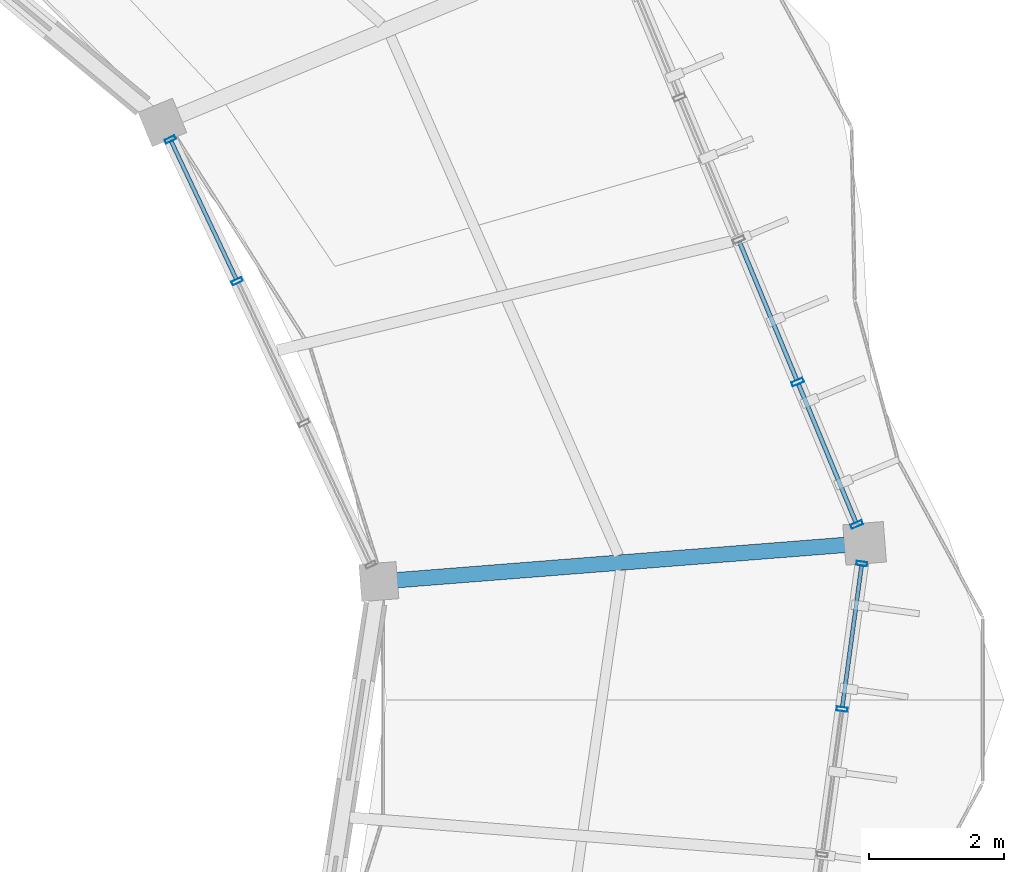
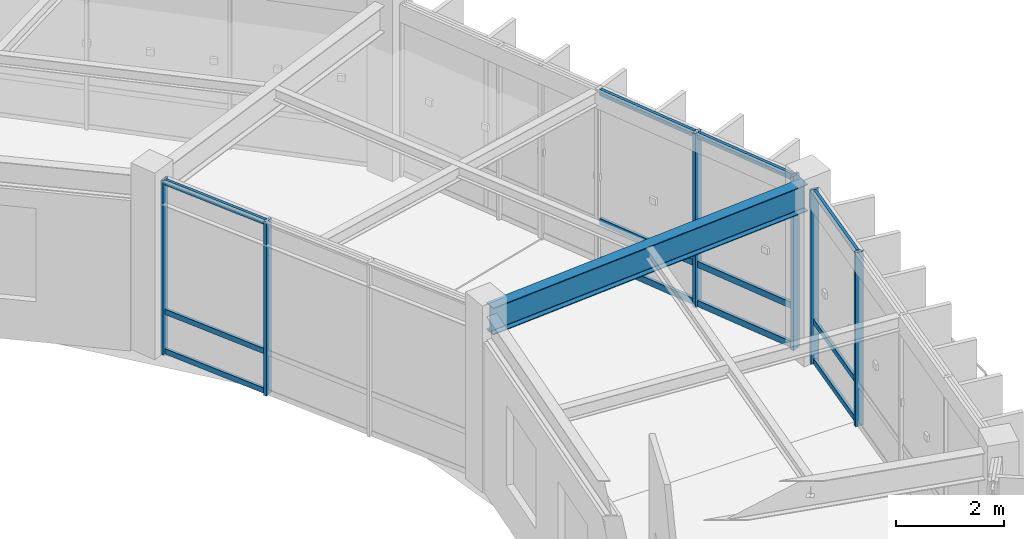
# One storey, part 58 of 83: 18 members, 1 beam, 3 elements without a shape of their own.
"""IFC4 building model written with IfcOpenShell, lengths in metres."""

import ifcopenshell
import ifcopenshell.guid

model = None  # the IFC model being written
_history = None  # IfcOwnerHistory: only IFC2X3 demands one
_inside = {}  # id of a spatial element -> (the spatial element, [elements in it])
_under = {}  # id of a project, library or spatial element -> (it, [spatial elements below it])
_declared = {}  # id of a project -> (the project, [libraries it declares])
_typed = {}  # id of a type object -> (the type object, [elements of that type])
_made_of = {}  # id of a material, layer set ... -> (it, [elements and type objects made of it])


def new_model(schema):
    """Start an empty IFC model of exactly this schema.

    Asked for "IFC4X3", IfcOpenShell would pick the latest addendum, in which some entities
    have other attributes; the version numbers below select the first issue.
    IFC2X3 requires an IfcOwnerHistory on every rooted entity: one is made here for all.
    """
    global model, _history
    if schema == "IFC4X3":
        model = ifcopenshell.file(schema_version=(4, 3, 0, 0))
    else:
        model = ifcopenshell.file(schema=schema)
    _inside.clear()
    _under.clear()
    _declared.clear()
    _typed.clear()
    _made_of.clear()
    _history = None
    if model.schema == "IFC2X3":
        org = make("IfcOrganization", Name="unknown")
        user = make(
            "IfcPersonAndOrganization",
            ThePerson=make("IfcPerson", FamilyName="unknown"),
            TheOrganization=org,
        )
        app = make(
            "IfcApplication",
            ApplicationDeveloper=org,
            Version="unknown",
            ApplicationFullName="unknown",
            ApplicationIdentifier="unknown",
        )
        _history = make(
            "IfcOwnerHistory",
            OwningUser=user,
            OwningApplication=app,
            ChangeAction="ADDED",
            CreationDate=0,
        )
    return model


def make(cls, **values):
    """One entity of the class cls with the attributes given. An attribute that is None is left unset."""
    return model.create_entity(
        cls, **{name: value for name, value in values.items() if value is not None}
    )


def rooted(cls, **values):
    """An entity with a GlobalId (a new one), such as an element, a storey or a relation."""
    return make(cls, GlobalId=ifcopenshell.guid.new(), OwnerHistory=_history, **values)


def si_unit(unit_type, name, prefix=None):
    """IfcSIUnit, for example si_unit("LENGTHUNIT", "METRE", prefix="MILLI")."""
    return make("IfcSIUnit", UnitType=unit_type, Prefix=prefix, Name=name)


def assignment(units):
    """IfcUnitAssignment: the units of a project."""
    return None if units is None else make("IfcUnitAssignment", Units=units)


def point(xyz):
    """IfcCartesianPoint."""
    return None if xyz is None else make("IfcCartesianPoint", Coordinates=xyz)


def direction(xyz):
    """IfcDirection."""
    return None if xyz is None else make("IfcDirection", DirectionRatios=xyz)


def frame(location, z_axis=None, x_axis=None):
    """IfcAxis2Placement3D, a coordinate frame: its origin and axes. An axis left out is left unset."""
    return make(
        "IfcAxis2Placement3D",
        Location=point(location),
        Axis=direction(z_axis),
        RefDirection=direction(x_axis),
    )


def frame_2d(location, x_axis=None):
    """IfcAxis2Placement2D, a coordinate frame in the plane: its origin and x axis."""
    return make(
        "IfcAxis2Placement2D", Location=point(location), RefDirection=direction(x_axis)
    )


def origin():
    """The frame at (0, 0, 0) with its axes left unset."""
    return frame((0.0, 0.0, 0.0))


def origin_2d():
    """The frame at (0, 0) in the plane with its x axis left unset."""
    return frame_2d((0.0, 0.0))


def place(relative_to, where):
    """IfcLocalPlacement: puts the frame where relative to a parent placement (None: the world)."""
    return make(
        "IfcLocalPlacement", PlacementRelTo=relative_to, RelativePlacement=where
    )


def context(
    kind, dimensions, precision=None, world=None, true_north=None, identifier=None
):
    """IfcGeometricRepresentationContext, for example the 3D "Model" context."""
    return make(
        "IfcGeometricRepresentationContext",
        ContextIdentifier=identifier,
        ContextType=kind,
        CoordinateSpaceDimension=dimensions,
        Precision=precision,
        WorldCoordinateSystem=world,
        TrueNorth=true_north,
    )


def subcontext(parent, identifier, kind, view, scale=None):
    """IfcGeometricRepresentationSubContext, for example "Body" below "Model"."""
    return make(
        "IfcGeometricRepresentationSubContext",
        ContextIdentifier=identifier,
        ContextType=kind,
        ParentContext=parent,
        TargetScale=scale,
        TargetView=view,
    )


def project(units=None, contexts=None):
    """IfcProject with its units and contexts."""
    return rooted(
        "IfcProject",
        Name="project",
        RepresentationContexts=contexts,
        UnitsInContext=assignment(units),
    )


def spatial(cls, under=None, at=None, **own):
    """A site, building, storey or space (cls), placed at a placement, below another one or the project."""
    s = rooted(cls, ObjectPlacement=at, **own)
    if under is not None:
        _under.setdefault(under.id(), (under, []))[1].append(s)
    return s


def profile(cls, at=None, kind="AREA", **sizes):
    """A parametric profile (cls). Its sizes go by their IFC names, for example OverallWidth=200.0."""
    return make(cls, ProfileType=kind, Position=at, **sizes)


def hollow_rectangle(**sizes):
    """IfcRectangleHollowProfileDef."""
    return profile("IfcRectangleHollowProfileDef", **sizes)


def i_section(**sizes):
    """IfcIShapeProfileDef."""
    return profile("IfcIShapeProfileDef", **sizes)


def extrude(swept, where, along, depth):
    """IfcExtrudedAreaSolid: the profile swept, set in the frame where, extruded along a direction by depth."""
    return make(
        "IfcExtrudedAreaSolid",
        SweptArea=swept,
        Position=where,
        ExtrudedDirection=direction(along),
        Depth=depth,
    )


def shape(context_of_items, identifier, shape_type, items):
    """IfcShapeRepresentation: the items that make up one representation, for example the "Body"."""
    return make(
        "IfcShapeRepresentation",
        ContextOfItems=context_of_items,
        RepresentationIdentifier=identifier,
        RepresentationType=shape_type,
        Items=items,
    )


def material(Name=None, Category=None):
    """IfcMaterial."""
    return make("IfcMaterial", Name=Name, Category=Category)


def material_profile(
    of_material, cross_section, Name=None, Category=None, Priority=None
):
    """IfcMaterialProfile: a cross section and its material."""
    return make(
        "IfcMaterialProfile",
        Name=Name,
        Material=of_material,
        Profile=cross_section,
        Priority=Priority,
        Category=Category,
    )


def profile_set(profiles, Name=None, composite=None):
    """IfcMaterialProfileSet."""
    return make(
        "IfcMaterialProfileSet",
        Name=Name,
        MaterialProfiles=profiles,
        CompositeProfile=composite,
    )


def made_of(thing, what):
    """Note that an element or type object is made of a material, layer set ...; save() writes the relation."""
    if what is not None:
        _made_of.setdefault(what.id(), (what, []))[1].append(thing)
    return thing


def type_object(cls, material=None, **own):
    """A type object (cls), such as IfcWallType, which elements share."""
    return made_of(rooted(cls, **own), material)


def element(
    cls,
    number,
    at=None,
    inside=None,
    cuts=None,
    type_object=None,
    material=None,
    context=None,
    identifier="Body",
    shape_type=None,
    held_by="IfcProductDefinitionShape",
    body=None,
    shapes=None,
    **own,
):
    """One element of the class cls, such as IfcWall. Its Tag is "e" and its number.

    at: its placement. inside: the storey or other place that contains it. cuts: it is an
    opening in that element (IfcRelVoidsElement). A single representation is given by context,
    identifier, shape_type and body (its items); several are given by shapes. held_by: the class
    of the entity that holds the representations. save() writes the other relations.
    """
    e = rooted(cls, Tag="e%d" % number, ObjectPlacement=at, **own)
    if body is not None:
        shapes = [shape(context, identifier, shape_type, body)]
    if shapes is not None:
        e.Representation = make(held_by, Representations=shapes)
    if inside is not None:
        _inside.setdefault(inside.id(), (inside, []))[1].append(e)
    if cuts is not None:
        rooted(
            "IfcRelVoidsElement", RelatingBuildingElement=cuts, RelatedOpeningElement=e
        )
    if type_object is not None:
        _typed.setdefault(type_object.id(), (type_object, []))[1].append(e)
    return made_of(e, material)


def aggregate(whole, parts):
    """IfcRelAggregates: a whole, such as a stair, and the parts it consists of."""
    return rooted("IfcRelAggregates", RelatingObject=whole, RelatedObjects=parts)


def save(model, path):
    """Write the relations noted so far, then the file.

    IfcRelAggregates (storeys below a building ...), IfcRelContainedInSpatialStructure (elements
    in a storey), IfcRelDefinesByType, IfcRelAssociatesMaterial and IfcRelDeclares: one each for
    every whole, place, type object, material and project.
    """
    for whole, parts in _under.values():
        aggregate(whole, parts)
    for where, things in _inside.values():
        rooted(
            "IfcRelContainedInSpatialStructure",
            RelatedElements=things,
            RelatingStructure=where,
        )
    for kind, things in _typed.values():
        rooted("IfcRelDefinesByType", RelatedObjects=things, RelatingType=kind)
    for what, things in _made_of.values():
        rooted("IfcRelAssociatesMaterial", RelatedObjects=things, RelatingMaterial=what)
    for by, libraries in _declared.values():
        rooted("IfcRelDeclares", RelatingContext=by, RelatedDefinitions=libraries)
    model.write(path)


model = new_model("IFC4")

# Units and contexts
model_context = context("Model", 3, precision=1e-05, world=origin(), true_north=direction((0.0, 1.0)))
body_context = subcontext(model_context, "Body", "Model", "MODEL_VIEW")
ifc_project = project(units=[si_unit("LENGTHUNIT", "METRE"), si_unit("AREAUNIT", "SQUARE_METRE"), si_unit("VOLUMEUNIT", "CUBIC_METRE"), si_unit("PLANEANGLEUNIT", "RADIAN"), si_unit("MASSUNIT", "GRAM", prefix="KILO"), si_unit("THERMODYNAMICTEMPERATUREUNIT", "KELVIN"), si_unit("POWERUNIT", "WATT")], contexts=[model_context])

# Site, building, storey
site_placement = place(None, origin())
site = spatial("IfcSite", under=ifc_project, at=site_placement, CompositionType="ELEMENT")
building_placement = place(site_placement, origin())
building = spatial("IfcBuilding", under=site, at=building_placement, Name="Darbajah Civic Hall", CompositionType="ELEMENT")
storey_placement = place(building_placement, frame((0.0, 0.0, 18.0)))
storey = spatial("IfcBuildingStorey", under=building, at=storey_placement, Name="L04", CompositionType="ELEMENT", Elevation=18.0)

# Curtain wall, members
ifc_material_1 = material(Name="Anodised Bronze Aluminium and Low-E Glazing", Category="aluminium")
curtain_wall_type_1 = type_object("IfcCurtainWallType", Name="Unitised Curtain Wall CW-55 6900x3900", PredefinedType="USERDEFINED", material=ifc_material_1)
curtain_wall_1_placement = place(storey_placement, origin())
curtain_wall_1 = element("IfcCurtainWall", 1, at=curtain_wall_1_placement, inside=storey, type_object=curtain_wall_type_1, Name="L04 unitised curtain wall CW-V1I-L04-00", ObjectType="UNITISED CURTAIN WALL", PredefinedType="USERDEFINED")
ifc_material_2 = material(Name="Anodised Bronze Aluminium", Category="aluminium")
ifc_material_profile_1 = material_profile(ifc_material_2, hollow_rectangle(XDim=0.06005859375, YDim=0.159912109375, WallThickness=0.00341796875, at=origin_2d()), Name="ALU MULLION 60x160")
ifc_profile_set_1 = profile_set([ifc_material_profile_1], Name="Anodised Bronze Aluminium")
member_type_1 = type_object("IfcMemberType", Name="ALU MULLION 60x160", PredefinedType="MULLION", material=ifc_profile_set_1)
member_1_placement = place(storey_placement, frame((130.671630859375, 95.989013671875, 0.0), z_axis=(0.0, 0.0, 1.0), x_axis=(-0.426568739901, 0.904455145454, 0.0)))
member_1 = element("IfcMember", 2, at=member_1_placement, type_object=member_type_1, Name="CW-V1I-L04-00 mullion 3", PredefinedType="MULLION", context=body_context, shape_type="SweptSolid", body=[
    extrude(hollow_rectangle(XDim=0.06005859375, YDim=0.159912109375, WallThickness=0.00341796875, at=origin_2d()), origin(), (0.0, 0.0, 1.0), 3.919921875),
])
member_2_placement = place(storey_placement, frame((129.68408203125, 98.083251953125, 0.0), z_axis=(0.0, 0.0, 1.0), x_axis=(-0.426568739901, 0.904455145454, 0.0)))
member_2 = element("IfcMember", 3, at=member_2_placement, type_object=member_type_1, Name="CW-V1I-L04-00 mullion 4", PredefinedType="MULLION", context=body_context, shape_type="SweptSolid", body=[
    extrude(hollow_rectangle(XDim=0.06005859375, YDim=0.159912109375, WallThickness=0.00341796875, at=origin_2d()), origin(), (0.0, 0.0, 1.0), 3.919921875),
])

curtain_wall_type_2 = type_object("IfcCurtainWallType", Name="Unitised Curtain Wall CW-76 8700x3900", PredefinedType="USERDEFINED", material=ifc_material_1)
curtain_wall_2_placement = place(storey_placement, origin())
curtain_wall_2 = element("IfcCurtainWall", 4, at=curtain_wall_2_placement, inside=storey, type_object=curtain_wall_type_2, Name="L04 unitised curtain wall CW-V1O-L04-19", ObjectType="UNITISED CURTAIN WALL", PredefinedType="USERDEFINED")
member_3_placement = place(storey_placement, frame((139.609619140625, 89.66455078125, 0.0), z_axis=(0.0, 0.0, 1.0), x_axis=(0.134850930274, 0.990865897387, 0.0)))
member_3 = element("IfcMember", 5, at=member_3_placement, type_object=member_type_1, Name="CW-V1O-L04-19 mullion 4", PredefinedType="MULLION", context=body_context, shape_type="SweptSolid", body=[
    extrude(hollow_rectangle(XDim=0.06005859375, YDim=0.159912109375, WallThickness=0.00341796875, at=origin_2d()), origin(), (0.0, 0.0, 1.0), 3.919921875),
])
member_4_placement = place(storey_placement, frame((139.902099609375, 91.815185546875, 0.0), z_axis=(0.0, 0.0, 1.0), x_axis=(0.134850930274, 0.990865897387, 0.0)))
member_4 = element("IfcMember", 6, at=member_4_placement, type_object=member_type_1, Name="CW-V1O-L04-19 mullion 5", PredefinedType="MULLION", context=body_context, shape_type="SweptSolid", body=[
    extrude(hollow_rectangle(XDim=0.06005859375, YDim=0.159912109375, WallThickness=0.00341796875, at=origin_2d()), origin(), (0.0, 0.0, 1.0), 3.919921875),
])

curtain_wall_type_3 = type_object("IfcCurtainWallType", Name="Unitised Curtain Wall CW-54 9100x3900", PredefinedType="USERDEFINED", material=ifc_material_1)
curtain_wall_3_placement = place(storey_placement, origin())
curtain_wall_3 = element("IfcCurtainWall", 7, at=curtain_wall_3_placement, inside=storey, type_object=curtain_wall_type_3, Name="L04 unitised curtain wall CW-V1O-L04-00", ObjectType="UNITISED CURTAIN WALL", PredefinedType="USERDEFINED")
ifc_material_profile_2 = material_profile(ifc_material_2, hollow_rectangle(XDim=0.06494140625, YDim=0.179931640625, WallThickness=0.00390625, at=origin_2d()), Name="ALU MULLION 65x180")
ifc_profile_set_2 = profile_set([ifc_material_profile_2], Name="Anodised Bronze Aluminium")
member_type_2 = type_object("IfcMemberType", Name="ALU MULLION 65x180", PredefinedType="MULLION", material=ifc_profile_set_2)
member_5_placement = place(storey_placement, frame((139.826904296875, 92.393310546875, 0.0), z_axis=(0.0, 0.0, 1.0), x_axis=(-0.383328328644, 0.923612143954, 0.0)))
member_5 = element("IfcMember", 8, at=member_5_placement, type_object=member_type_2, Name="CW-V1O-L04-00 mullion 1", PredefinedType="MULLION", context=body_context, shape_type="SweptSolid", body=[
    extrude(hollow_rectangle(XDim=0.06494140625, YDim=0.179931640625, WallThickness=0.00390625, at=origin_2d()), origin(), (0.0, 0.0, 1.0), 3.919921875),
])
member_6_placement = place(storey_placement, frame((138.95361328125, 94.49755859375, 0.0), z_axis=(0.0, 0.0, 1.0), x_axis=(-0.383328328644, 0.923612143954, 0.0)))
member_6 = element("IfcMember", 9, at=member_6_placement, type_object=member_type_2, Name="CW-V1O-L04-00 mullion 2", PredefinedType="MULLION", context=body_context, shape_type="SweptSolid", body=[
    extrude(hollow_rectangle(XDim=0.06494140625, YDim=0.179931640625, WallThickness=0.00390625, at=origin_2d()), origin(), (0.0, 0.0, 1.0), 3.919921875),
])

# Member
ifc_material_profile_3 = material_profile(ifc_material_2, hollow_rectangle(XDim=0.06005859375, YDim=0.1201171875, WallThickness=0.003173828125, at=origin_2d()), Name="ALU TRANSOM 60x120")
ifc_profile_set_3 = profile_set([ifc_material_profile_3], Name="Anodised Bronze Aluminium")
member_type_3 = type_object("IfcMemberType", Name="ALU TRANSOM 60x120", PredefinedType="USERDEFINED", material=ifc_profile_set_3)
member_7_placement = place(storey_placement, frame((130.65673828125, 96.0205078125, 0.06005859375), z_axis=(-0.426524703354, 0.904475913128, 0.0), x_axis=(-0.904475913128, -0.426524703354, 0.0)))
member_7 = element("IfcMember", 10, at=member_7_placement, type_object=member_type_3, Name="CW-V1I-L04-00 transom 3.1", ObjectType="TRANSOM", PredefinedType="USERDEFINED", context=body_context, shape_type="SweptSolid", body=[
    extrude(hollow_rectangle(XDim=0.06005859375, YDim=0.1201171875, WallThickness=0.003173828125, at=origin_2d()), origin(), (0.0, 0.0, 1.0), 2.24560546875),
])

member_8_placement = place(storey_placement, frame((130.65673828125, 96.0205078125, 0.949951171875), z_axis=(-0.426524703354, 0.904475913128, 0.0), x_axis=(-0.904475913128, -0.426524703354, 0.0)))
member_8 = element("IfcMember", 11, at=member_8_placement, type_object=member_type_3, Name="CW-V1I-L04-00 transom 3.2", ObjectType="TRANSOM", PredefinedType="USERDEFINED", context=body_context, shape_type="SweptSolid", body=[
    extrude(hollow_rectangle(XDim=0.06005859375, YDim=0.1201171875, WallThickness=0.003173828125, at=origin_2d()), origin(), (0.0, 0.0, 1.0), 2.24560546875),
])

member_9_placement = place(storey_placement, frame((130.65673828125, 96.0205078125, 3.860107421875), z_axis=(-0.426524703354, 0.904475913128, 0.0), x_axis=(-0.904475913128, -0.426524703354, 0.0)))
member_9 = element("IfcMember", 12, at=member_9_placement, type_object=member_type_3, Name="CW-V1I-L04-00 transom 3.3", ObjectType="TRANSOM", PredefinedType="USERDEFINED", context=body_context, shape_type="SweptSolid", body=[
    extrude(hollow_rectangle(XDim=0.06005859375, YDim=0.1201171875, WallThickness=0.003173828125, at=origin_2d()), origin(), (0.0, 0.0, 1.0), 2.24560546875),
])

aggregate(curtain_wall_1, [member_1, member_2, member_7, member_8, member_9])

member_10_placement = place(storey_placement, frame((139.6142578125, 89.69921875, 0.06005859375), z_axis=(0.134827926365, 0.99086902781, 0.0), x_axis=(-0.99086902781, 0.134827926365, 0.0)))
member_10 = element("IfcMember", 13, at=member_10_placement, type_object=member_type_3, Name="CW-V1O-L04-19 transom 4.1", ObjectType="TRANSOM", PredefinedType="USERDEFINED", context=body_context, shape_type="SweptSolid", body=[
    extrude(hollow_rectangle(XDim=0.06005859375, YDim=0.1201171875, WallThickness=0.003173828125, at=origin_2d()), origin(), (0.0, 0.0, 1.0), 2.1005859375),
])

member_11_placement = place(storey_placement, frame((139.6142578125, 89.69921875, 0.949951171875), z_axis=(0.134827926365, 0.99086902781, 0.0), x_axis=(-0.99086902781, 0.134827926365, 0.0)))
member_11 = element("IfcMember", 14, at=member_11_placement, type_object=member_type_3, Name="CW-V1O-L04-19 transom 4.2", ObjectType="TRANSOM", PredefinedType="USERDEFINED", context=body_context, shape_type="SweptSolid", body=[
    extrude(hollow_rectangle(XDim=0.06005859375, YDim=0.1201171875, WallThickness=0.003173828125, at=origin_2d()), origin(), (0.0, 0.0, 1.0), 2.1005859375),
])

member_12_placement = place(storey_placement, frame((139.6142578125, 89.69921875, 3.860107421875), z_axis=(0.134827926365, 0.99086902781, 0.0), x_axis=(-0.99086902781, 0.134827926365, 0.0)))
member_12 = element("IfcMember", 15, at=member_12_placement, type_object=member_type_3, Name="CW-V1O-L04-19 transom 4.3", ObjectType="TRANSOM", PredefinedType="USERDEFINED", context=body_context, shape_type="SweptSolid", body=[
    extrude(hollow_rectangle(XDim=0.06005859375, YDim=0.1201171875, WallThickness=0.003173828125, at=origin_2d()), origin(), (0.0, 0.0, 1.0), 2.1005859375),
])

aggregate(curtain_wall_2, [member_3, member_4, member_10, member_11, member_12])

ifc_material_profile_4 = material_profile(ifc_material_2, hollow_rectangle(XDim=0.06494140625, YDim=0.139892578125, WallThickness=0.00341796875, at=origin_2d()), Name="ALU TRANSOM 65x140")
ifc_profile_set_4 = profile_set([ifc_material_profile_4], Name="Anodised Bronze Aluminium")
member_type_4 = type_object("IfcMemberType", Name="ALU TRANSOM 65x140", PredefinedType="USERDEFINED", material=ifc_profile_set_4)
member_13_placement = place(storey_placement, frame((139.8125, 92.427978515625, 0.070068359375), z_axis=(-0.383300979751, 0.923623494137, 0.0), x_axis=(-0.923623494137, -0.383300979751, 0.0)))
member_13 = element("IfcMember", 16, at=member_13_placement, type_object=member_type_4, Name="CW-V1O-L04-00 transom 1.1", ObjectType="TRANSOM", PredefinedType="USERDEFINED", context=body_context, shape_type="SweptSolid", body=[
    extrude(hollow_rectangle(XDim=0.06494140625, YDim=0.139892578125, WallThickness=0.00341796875, at=origin_2d()), origin(), (0.0, 0.0, 1.0), 2.203125),
])

member_14_placement = place(storey_placement, frame((139.8125, 92.427978515625, 0.949951171875), z_axis=(-0.383300979751, 0.923623494137, 0.0), x_axis=(-0.923623494137, -0.383300979751, 0.0)))
member_14 = element("IfcMember", 17, at=member_14_placement, type_object=member_type_4, Name="CW-V1O-L04-00 transom 1.2", ObjectType="TRANSOM", PredefinedType="USERDEFINED", context=body_context, shape_type="SweptSolid", body=[
    extrude(hollow_rectangle(XDim=0.06494140625, YDim=0.139892578125, WallThickness=0.00341796875, at=origin_2d()), origin(), (0.0, 0.0, 1.0), 2.203125),
])

member_15_placement = place(storey_placement, frame((139.8125, 92.427978515625, 3.85009765625), z_axis=(-0.383300979751, 0.923623494137, 0.0), x_axis=(-0.923623494137, -0.383300979751, 0.0)))
member_15 = element("IfcMember", 18, at=member_15_placement, type_object=member_type_4, Name="CW-V1O-L04-00 transom 1.3", ObjectType="TRANSOM", PredefinedType="USERDEFINED", context=body_context, shape_type="SweptSolid", body=[
    extrude(hollow_rectangle(XDim=0.06494140625, YDim=0.139892578125, WallThickness=0.00341796875, at=origin_2d()), origin(), (0.0, 0.0, 1.0), 2.203125),
])

member_16_placement = place(storey_placement, frame((138.939208984375, 94.5322265625, 0.070068359375), z_axis=(-0.383300979751, 0.923623494137, 0.0), x_axis=(-0.923623494137, -0.383300979751, 0.0)))
member_16 = element("IfcMember", 19, at=member_16_placement, type_object=member_type_4, Name="CW-V1O-L04-00 transom 2.1", ObjectType="TRANSOM", PredefinedType="USERDEFINED", context=body_context, shape_type="SweptSolid", body=[
    extrude(hollow_rectangle(XDim=0.06494140625, YDim=0.139892578125, WallThickness=0.00341796875, at=origin_2d()), origin(), (0.0, 0.0, 1.0), 2.203125),
])

member_17_placement = place(storey_placement, frame((138.939208984375, 94.5322265625, 0.949951171875), z_axis=(-0.383300979751, 0.923623494137, 0.0), x_axis=(-0.923623494137, -0.383300979751, 0.0)))
member_17 = element("IfcMember", 20, at=member_17_placement, type_object=member_type_4, Name="CW-V1O-L04-00 transom 2.2", ObjectType="TRANSOM", PredefinedType="USERDEFINED", context=body_context, shape_type="SweptSolid", body=[
    extrude(hollow_rectangle(XDim=0.06494140625, YDim=0.139892578125, WallThickness=0.00341796875, at=origin_2d()), origin(), (0.0, 0.0, 1.0), 2.203125),
])

member_18_placement = place(storey_placement, frame((138.939208984375, 94.5322265625, 3.85009765625), z_axis=(-0.383300979751, 0.923623494137, 0.0), x_axis=(-0.923623494137, -0.383300979751, 0.0)))
member_18 = element("IfcMember", 21, at=member_18_placement, type_object=member_type_4, Name="CW-V1O-L04-00 transom 2.3", ObjectType="TRANSOM", PredefinedType="USERDEFINED", context=body_context, shape_type="SweptSolid", body=[
    extrude(hollow_rectangle(XDim=0.06494140625, YDim=0.139892578125, WallThickness=0.00341796875, at=origin_2d()), origin(), (0.0, 0.0, 1.0), 2.203125),
])

aggregate(curtain_wall_3, [member_5, member_6, member_13, member_14, member_15, member_16, member_17, member_18])

# Beam
ifc_material_3 = material(Name="Steel S355JR", Category="steel")
ifc_material_profile_5 = material_profile(ifc_material_3, i_section(OverallWidth=0.228271484375, OverallDepth=0.607666015625, WebThickness=0.010986328125, FlangeThickness=0.017333984375, FilletRadius=0.0126953125, at=origin_2d()), Name="UB 610x229x113")
ifc_profile_set_5 = profile_set([ifc_material_profile_5], Name="Steel S355JR")
beam_type = type_object("IfcBeamType", Name="UB 610x229x113", PredefinedType="BEAM", material=ifc_profile_set_5)
beam_placement = place(storey_placement, frame((132.8447265625, 91.555908203125, 3.6162109375), z_axis=(0.996918521601, 0.078444000969, 0.0), x_axis=(-0.078444000969, 0.996918521601, 0.0)))
element("IfcBeam", 22, at=beam_placement, inside=storey, type_object=beam_type, Name="L04 beam SB-610", PredefinedType="BEAM", context=body_context, shape_type="SweptSolid", body=[
    extrude(i_section(OverallWidth=0.228271484375, OverallDepth=0.607666015625, WebThickness=0.010986328125, FlangeThickness=0.017333984375, FilletRadius=0.0126953125, at=origin_2d()), origin(), (0.0, 0.0, 1.0), 7.0400390625),
])

save(model, "model.ifc")
